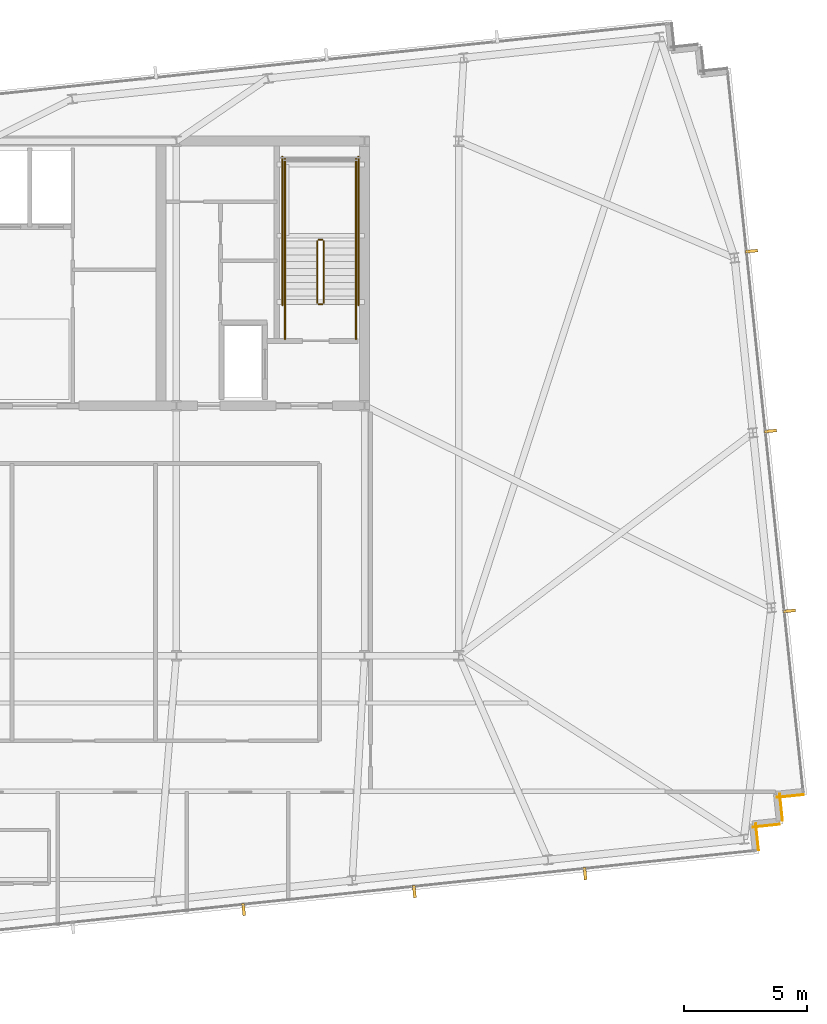
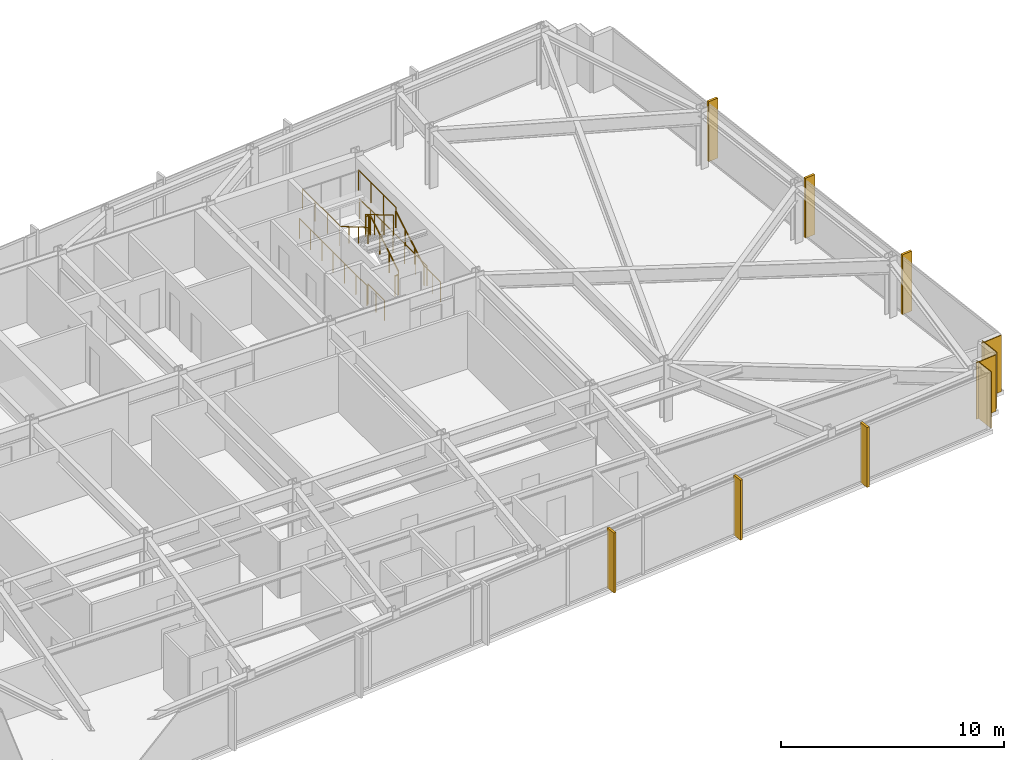
# One storey, part 31 of 32: 12 railings, 6 shading devices, 4 coverings.
"""IFC4 building model written with IfcOpenShell, lengths in metres."""

from ifc_helpers import new_model, si_unit, direction, frame, frame_2d, origin, origin_2d, place, context, subcontext, project, spatial, rectangle, circle, extrude, material, layer, layer_set, type_object, element, save


model = new_model("IFC4")

# Units and contexts
model_context = context("Model", 3, precision=1e-05, world=origin(), true_north=direction((0.0, 1.0)))
body_context = subcontext(model_context, "Body", "Model", "MODEL_VIEW")
ifc_project = project(units=[si_unit("LENGTHUNIT", "METRE"), si_unit("AREAUNIT", "SQUARE_METRE"), si_unit("VOLUMEUNIT", "CUBIC_METRE"), si_unit("PLANEANGLEUNIT", "RADIAN"), si_unit("MASSUNIT", "GRAM", prefix="KILO")], contexts=[model_context])

# Site, building, storey
site_placement = place(None, origin())
site = spatial("IfcSite", under=ifc_project, at=site_placement, CompositionType="ELEMENT")
building_placement = place(site_placement, origin())
building = spatial("IfcBuilding", under=site, at=building_placement, Name="Yelkora Congress Tower", CompositionType="ELEMENT")
storey_placement = place(building_placement, frame((0.0, 0.0, 211.10009765625)))
storey = spatial("IfcBuildingStorey", under=building, at=storey_placement, Name="L58", CompositionType="ELEMENT", Elevation=211.10009765625)

# Coverings
ifc_material_1 = material(Name="Anatolian bush-hammered limestone", Category="masonry")
ifc_layer_1 = layer(ifc_material_1, 0.0400390625)
ifc_layer_set_1 = layer_set([ifc_layer_1], Name="Anatolian bush-hammered limestone")
covering_type = type_object("IfcCoveringType", Name="COV-CLAD-SPANDREL-40", PredefinedType="CLADDING", material=ifc_layer_set_1)
for number, where, z_axis, x_axis, name in (
    (1, (71.668212890625, 19.535888671875, 0.0), (0.0, 0.0, 1.0), (-0.994544300928, -0.104315068386, 0.0), "L58 Anatolian Limestone Cladding EW-L58-SR16"),
    (2, (70.6943359375, 19.569580078125, 0.0), (0.0, 0.0, 1.0), (0.104534592565, -0.994521251134, 0.0), "L58 Anatolian Limestone Cladding EW-L58-SR17"),
    (3, (70.689208984375, 18.3271484375, 0.0), (0.0, 0.0, 1.0), (-0.994521251134, -0.104534592565, 0.0), "L58 Anatolian Limestone Cladding EW-L58-SR18"),
    (4, (69.71533203125, 18.360595703125, 0.0), (0.0, 0.0, 1.0), (0.104534592565, -0.994521251134, 0.0), "L58 Anatolian Limestone Cladding EW-L58-SR19"),
):
    element("IfcCovering", number, at=place(storey_placement, frame(where, z_axis=z_axis, x_axis=x_axis)), inside=storey, type_object=covering_type, Name=name, PredefinedType="CLADDING", context=body_context, shape_type="SweptSolid", body=[
        extrude(rectangle(XDim=1.10009765625, YDim=0.0400390625, at=frame_2d((0.550048828125, 0.0))), origin(), (0.0, 0.0, 1.0), 3.079833984375),
    ])

# Railings
ifc_material_2 = material(Name="Painted galvanised steel stair well guard with vertical infill", Category="steel")
ifc_layer_2 = layer(ifc_material_2, 0.06005859375)
ifc_layer_set_2 = layer_set([ifc_layer_2], Name="Painted galvanised steel stair well guard with vertical infill")
railing_type_1 = type_object("IfcRailingType", Name="RAIL-STAIR-GUARD-1120", PredefinedType="GUARDRAIL", material=ifc_layer_set_2)
railing_1_placement = place(storey_placement, frame((52.090087890625, 39.60009765625, 0.164794921875)))
element("IfcRailing", 5, at=railing_1_placement, inside=storey, type_object=railing_type_1, Name="ST-02 L58 Stair Well Guardrail 1", PredefinedType="GUARDRAIL", context=body_context, shape_type="SweptSolid", body=[
    extrude(circle(Radius=0.02392578125, at=origin_2d()), frame((0.0, 0.0, 1.09619140625), z_axis=(0.0, 0.86152411907, 0.507716645641), x_axis=(-1.0, 0.0, 0.0)), (0.0, 0.0, 1.0), 2.925048828125),
    extrude(circle(Radius=0.02099609375, at=origin_2d()), origin(), (0.0, 0.0, 1.0), 1.072021484375),
    extrude(circle(Radius=0.02099609375, at=origin_2d()), frame((0.0, 0.840087890625, 0.4951171875)), (0.0, 0.0, 1.0), 1.072021484375),
    extrude(circle(Radius=0.02099609375, at=origin_2d()), frame((0.0, 1.679931640625, 0.989990234375)), (0.0, 0.0, 1.0), 1.072021484375),
    extrude(circle(Radius=0.02099609375, at=origin_2d()), frame((0.0, 2.52001953125, 1.485107421875)), (0.0, 0.0, 1.0), 1.072021484375),
])
railing_2_placement = place(storey_placement, frame((52.0400390625, 42.169921875, 1.64990234375)))
element("IfcRailing", 6, at=railing_2_placement, inside=storey, type_object=railing_type_1, Name="ST-02 L58 Stair Well Guardrail 2", PredefinedType="GUARDRAIL", context=body_context, shape_type="SweptSolid", body=[
    extrude(circle(Radius=0.02392578125, at=origin_2d()), frame((0.0, 0.0, 1.09619140625), z_axis=(-1.0, 0.0, 0.0), x_axis=(0.0, -1.0, 0.0)), (0.0, 0.0, 1.0), 0.16015625),
    extrude(circle(Radius=0.02099609375, at=origin_2d()), origin(), (0.0, 0.0, 1.0), 1.072021484375),
    extrude(circle(Radius=0.02099609375, at=origin_2d()), frame((-0.16015625, 0.0, 0.0)), (0.0, 0.0, 1.0), 1.072021484375),
])
for number, where, name in (
    (7, (53.409912109375, 42.1201171875, 1.64990234375), "ST-02 L58 Stair Well Guardrail 3"),
    (8, (50.510009765625, 42.1201171875, 1.64990234375), "ST-02 L58 Stair Well Guardrail 4"),
):
    element("IfcRailing", number, at=place(storey_placement, frame(where)), inside=storey, type_object=railing_type_1, Name=name, PredefinedType="GUARDRAIL", context=body_context, shape_type="SweptSolid", body=[
        extrude(circle(Radius=0.02392578125, at=origin_2d()), frame((0.0, 0.0, 1.09619140625), z_axis=(0.0, 1.0, 0.0), x_axis=(-1.0, 0.0, 0.0)), (0.0, 0.0, 1.0), 3.349853515625),
        extrude(circle(Radius=0.02099609375, at=origin_2d()), origin(), (0.0, 0.0, 1.0), 1.072021484375),
        extrude(circle(Radius=0.02099609375, at=origin_2d()), frame((0.0, 1.11669921875, 0.0)), (0.0, 0.0, 1.0), 1.072021484375),
        extrude(circle(Radius=0.02099609375, at=origin_2d()), frame((0.0, 2.233154296875, 0.0)), (0.0, 0.0, 1.0), 1.072021484375),
        extrude(circle(Radius=0.02099609375, at=origin_2d()), frame((0.0, 3.349853515625, 0.0)), (0.0, 0.0, 1.0), 1.072021484375),
    ])
railing_3_placement = place(storey_placement, frame((51.830078125, 42.1201171875, 1.81494140625)))
element("IfcRailing", 9, at=railing_3_placement, inside=storey, type_object=railing_type_1, Name="ST-02 L58 Stair Well Guardrail 6", PredefinedType="GUARDRAIL", context=body_context, shape_type="SweptSolid", body=[
    extrude(circle(Radius=0.02392578125, at=origin_2d()), frame((0.0, 0.0, 1.09619140625), z_axis=(0.0, -0.861560626758, 0.507654692109), x_axis=(1.0, 0.0, 0.0)), (0.0, 0.0, 1.0), 2.925048828125),
    extrude(circle(Radius=0.02099609375, at=origin_2d()), origin(), (0.0, 0.0, 1.0), 1.072021484375),
    extrude(circle(Radius=0.02099609375, at=origin_2d()), frame((0.0, -0.840087890625, 0.494873046875)), (0.0, 0.0, 1.0), 1.072021484375),
    extrude(circle(Radius=0.02099609375, at=origin_2d()), frame((0.0, -1.679931640625, 0.989990234375)), (0.0, 0.0, 1.0), 1.072021484375),
    extrude(circle(Radius=0.02099609375, at=origin_2d()), frame((0.0, -2.52001953125, 1.48486328125)), (0.0, 0.0, 1.0), 1.072021484375),
])
railing_4_placement = place(storey_placement, frame((52.0400390625, 39.550048828125, 0.0)))
element("IfcRailing", 10, at=railing_4_placement, inside=storey, type_object=railing_type_1, Name="ST-02 L58 Stair Well Guardrail 7", PredefinedType="GUARDRAIL", context=body_context, shape_type="SweptSolid", body=[
    extrude(circle(Radius=0.02392578125, at=origin_2d()), frame((0.0, 0.0, 1.09619140625), z_axis=(-1.0, 0.0, 0.0), x_axis=(0.0, -1.0, 0.0)), (0.0, 0.0, 1.0), 0.16015625),
    extrude(circle(Radius=0.02099609375, at=origin_2d()), origin(), (0.0, 0.0, 1.0), 1.072021484375),
    extrude(circle(Radius=0.02099609375, at=origin_2d()), frame((-0.16015625, 0.0, 0.0)), (0.0, 0.0, 1.0), 1.072021484375),
])
for number, where, name in (
    (11, (53.409912109375, 38.1201171875, 0.0), "ST-02 L58 Stair Well Guardrail 8"),
    (12, (50.510009765625, 38.1201171875, 0.0), "ST-02 L58 Stair Well Guardrail 9"),
):
    element("IfcRailing", number, at=place(storey_placement, frame(where)), inside=storey, type_object=railing_type_1, Name=name, PredefinedType="GUARDRAIL", context=body_context, shape_type="SweptSolid", body=[
        extrude(circle(Radius=0.02392578125, at=origin_2d()), frame((0.0, 0.0, 1.09619140625), z_axis=(0.0, 1.0, 0.0), x_axis=(-1.0, 0.0, 0.0)), (0.0, 0.0, 1.0), 1.47998046875),
        extrude(circle(Radius=0.02099609375, at=origin_2d()), origin(), (0.0, 0.0, 1.0), 1.072021484375),
        extrude(circle(Radius=0.02099609375, at=origin_2d()), frame((0.0, 0.739990234375, 0.0)), (0.0, 0.0, 1.0), 1.072021484375),
        extrude(circle(Radius=0.02099609375, at=origin_2d()), frame((0.0, 1.47998046875, 0.0)), (0.0, 0.0, 1.0), 1.072021484375),
    ])
for number, where, name in (
    (13, (53.510009765625, 39.5, 0.0), "ST-02 L58 Stair Well Guardrail 10"),
    (14, (50.409912109375, 39.5, 0.0), "ST-02 L58 Stair Well Guardrail 11"),
):
    element("IfcRailing", number, at=place(storey_placement, frame(where)), inside=storey, type_object=railing_type_1, Name=name, PredefinedType="GUARDRAIL", context=body_context, shape_type="SweptSolid", body=[
        extrude(circle(Radius=0.02392578125, at=origin_2d()), frame((0.0, 0.0, 1.09619140625), z_axis=(0.0, 1.0, 0.0), x_axis=(-1.0, 0.0, 0.0)), (0.0, 0.0, 1.0), 6.070068359375),
        extrude(circle(Radius=0.02099609375, at=origin_2d()), origin(), (0.0, 0.0, 1.0), 1.072021484375),
        extrude(circle(Radius=0.02099609375, at=origin_2d()), frame((0.0, 1.01171875, 0.0)), (0.0, 0.0, 1.0), 1.072021484375),
        extrude(circle(Radius=0.02099609375, at=origin_2d()), frame((0.0, 2.0234375, 0.0)), (0.0, 0.0, 1.0), 1.072021484375),
        extrude(circle(Radius=0.02099609375, at=origin_2d()), frame((0.0, 3.03515625, 0.0)), (0.0, 0.0, 1.0), 1.072021484375),
        extrude(circle(Radius=0.02099609375, at=origin_2d()), frame((0.0, 4.046630859375, 0.0)), (0.0, 0.0, 1.0), 1.072021484375),
        extrude(circle(Radius=0.02099609375, at=origin_2d()), frame((0.0, 5.058349609375, 0.0)), (0.0, 0.0, 1.0), 1.072021484375),
        extrude(circle(Radius=0.02099609375, at=origin_2d()), frame((0.0, 6.070068359375, 0.0)), (0.0, 0.0, 1.0), 1.072021484375),
    ])
ifc_material_3 = material(Name="Brushed stainless steel tubular handrail", Category="steel")
ifc_layer_3 = layer(ifc_material_3, 0.050048828125)
ifc_layer_set_3 = layer_set([ifc_layer_3], Name="Brushed stainless steel tubular handrail")
railing_type_2 = type_object("IfcRailingType", Name="RAIL-STAIR-HAND-920", PredefinedType="HANDRAIL", material=ifc_layer_set_3)
railing_5_placement = place(storey_placement, frame((53.409912109375, 39.60009765625, 0.164794921875)))
element("IfcRailing", 15, at=railing_5_placement, inside=storey, type_object=railing_type_2, Name="ST-02 L58 Pitch Handrail 1", PredefinedType="HANDRAIL", context=body_context, shape_type="SweptSolid", body=[
    extrude(circle(Radius=0.02392578125, at=origin_2d()), frame((0.0, 0.0, 0.89599609375), z_axis=(0.0, 0.86152411907, 0.507716645641), x_axis=(-1.0, 0.0, 0.0)), (0.0, 0.0, 1.0), 2.925048828125),
    extrude(circle(Radius=0.02099609375, at=origin_2d()), origin(), (0.0, 0.0, 1.0), 0.871826171875),
    extrude(circle(Radius=0.02099609375, at=origin_2d()), frame((0.0, 0.840087890625, 0.4951171875)), (0.0, 0.0, 1.0), 0.871826171875),
    extrude(circle(Radius=0.02099609375, at=origin_2d()), frame((0.0, 1.679931640625, 0.989990234375)), (0.0, 0.0, 1.0), 0.871826171875),
    extrude(circle(Radius=0.02099609375, at=origin_2d()), frame((0.0, 2.52001953125, 1.485107421875)), (0.0, 0.0, 1.0), 0.871826171875),
])
railing_6_placement = place(storey_placement, frame((50.510009765625, 42.1201171875, 1.81494140625)))
element("IfcRailing", 16, at=railing_6_placement, inside=storey, type_object=railing_type_2, Name="ST-02 L58 Pitch Handrail 2", PredefinedType="HANDRAIL", context=body_context, shape_type="SweptSolid", body=[
    extrude(circle(Radius=0.02392578125, at=origin_2d()), frame((0.0, 0.0, 0.89599609375), z_axis=(0.0, -0.861560626758, 0.507654692109), x_axis=(1.0, 0.0, 0.0)), (0.0, 0.0, 1.0), 2.925048828125),
    extrude(circle(Radius=0.02099609375, at=origin_2d()), origin(), (0.0, 0.0, 1.0), 0.871826171875),
    extrude(circle(Radius=0.02099609375, at=origin_2d()), frame((0.0, -0.840087890625, 0.494873046875)), (0.0, 0.0, 1.0), 0.871826171875),
    extrude(circle(Radius=0.02099609375, at=origin_2d()), frame((0.0, -1.679931640625, 0.989990234375)), (0.0, 0.0, 1.0), 0.871826171875),
    extrude(circle(Radius=0.02099609375, at=origin_2d()), frame((0.0, -2.52001953125, 1.48486328125)), (0.0, 0.0, 1.0), 0.871826171875),
])

# Shading devices
ifc_material_4 = material(Name="Champagne anodised aluminium", Category="aluminium")
ifc_layer_4 = layer(ifc_material_4, 3.300048828125)
ifc_layer_set_4 = layer_set([ifc_layer_4], Name="Champagne anodised aluminium")
shading_device_type = type_object("IfcShadingDeviceType", Name="SHD-FIN-ALU-520", PredefinedType="USERDEFINED", material=ifc_layer_set_4)
for number, where, z_axis, x_axis, name in (
    (17, (69.538818359375, 41.7099609375, -0.0302734375), (0.0, 0.0, 1.0), (0.104528463268, -0.994521895368, 0.0), "L58 Vertical Anodised Solar Fin 15-1"),
    (18, (70.31005859375, 34.370361328125, -0.0302734375), (0.0, 0.0, 1.0), (0.104528463268, -0.994521895368, 0.0), "L58 Vertical Anodised Solar Fin 15-2"),
    (19, (71.08154296875, 27.03076171875, -0.0302734375), (0.0, 0.0, 1.0), (0.104528463268, -0.994521895368, 0.0), "L58 Vertical Anodised Solar Fin 15-3"),
    (20, (62.75244140625, 16.321533203125, -0.0302734375), (0.0, 0.0, 1.0), (-0.994521895368, -0.104528463268, 0.0), "L58 Vertical Anodised Solar Fin 20-1"),
    (21, (55.7880859375, 15.589599609375, -0.0302734375), (0.0, 0.0, 1.0), (-0.994521895368, -0.104528463268, 0.0), "L58 Vertical Anodised Solar Fin 20-2"),
    (22, (48.823486328125, 14.857421875, -0.0302734375), (0.0, 0.0, 1.0), (-0.994521895368, -0.104528463268, 0.0), "L58 Vertical Anodised Solar Fin 20-3"),
):
    element("IfcShadingDevice", number, at=place(storey_placement, frame(where, z_axis=z_axis, x_axis=x_axis)), inside=storey, type_object=shading_device_type, Name=name, ObjectType="FIN", PredefinedType="USERDEFINED", context=body_context, shape_type="SweptSolid", body=[
        extrude(rectangle(XDim=0.1201171875, YDim=0.52001953125, at=origin_2d()), origin(), (0.0, 0.0, 1.0), 3.280029296875),
    ])

save(model, "model.ifc")
